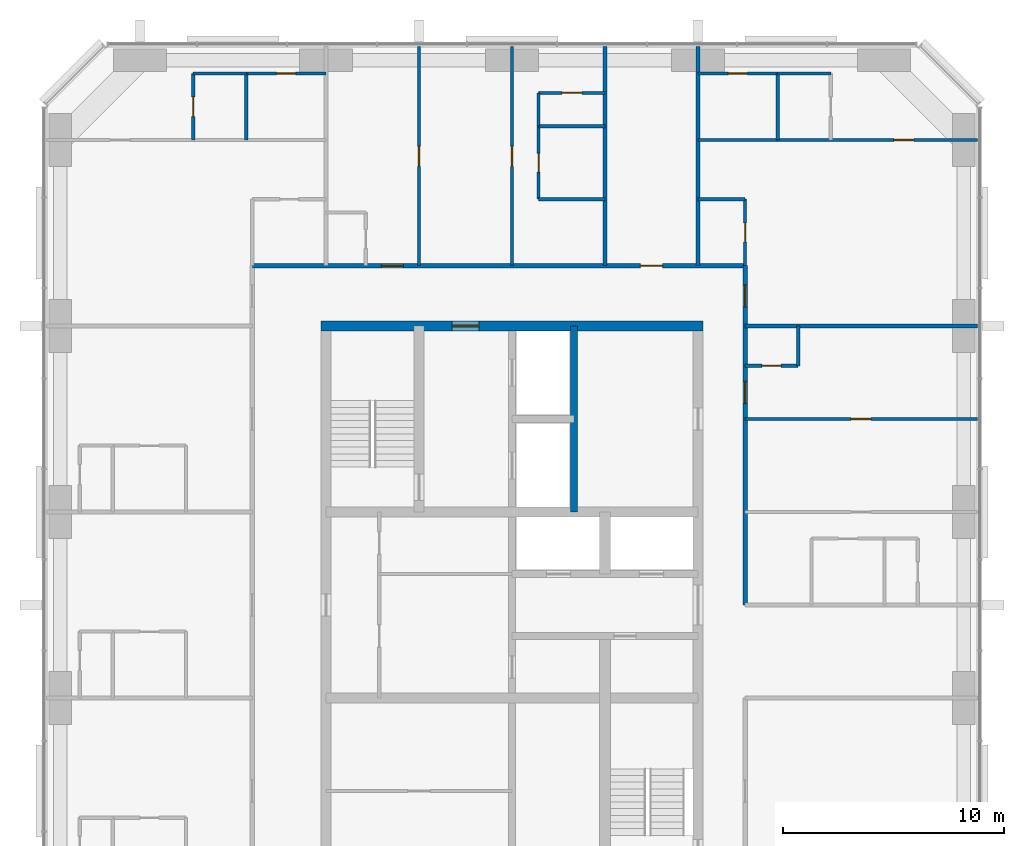
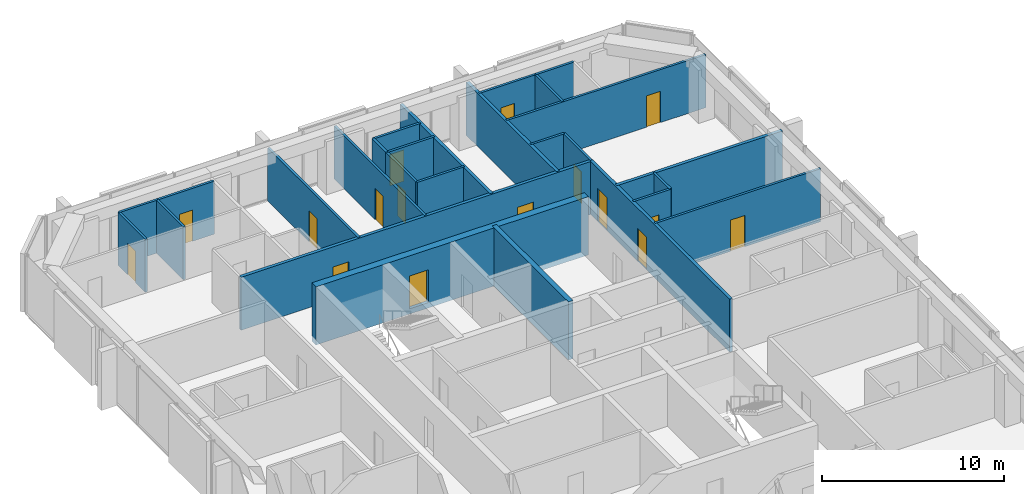
# One storey, part 10 of 12: 27 walls, 16 doors, 16 openings.
"""IFC4 building model written with IfcOpenShell, lengths in metres."""

import ifcopenshell
import ifcopenshell.guid

model = None  # the IFC model being written
_history = None  # IfcOwnerHistory: only IFC2X3 demands one
_inside = {}  # id of a spatial element -> (the spatial element, [elements in it])
_under = {}  # id of a project, library or spatial element -> (it, [spatial elements below it])
_declared = {}  # id of a project -> (the project, [libraries it declares])
_typed = {}  # id of a type object -> (the type object, [elements of that type])
_made_of = {}  # id of a material, layer set ... -> (it, [elements and type objects made of it])


def new_model(schema):
    """Start an empty IFC model of exactly this schema.

    Asked for "IFC4X3", IfcOpenShell would pick the latest addendum, in which some entities
    have other attributes; the version numbers below select the first issue.
    IFC2X3 requires an IfcOwnerHistory on every rooted entity: one is made here for all.
    """
    global model, _history
    if schema == "IFC4X3":
        model = ifcopenshell.file(schema_version=(4, 3, 0, 0))
    else:
        model = ifcopenshell.file(schema=schema)
    _inside.clear()
    _under.clear()
    _declared.clear()
    _typed.clear()
    _made_of.clear()
    _history = None
    if model.schema == "IFC2X3":
        org = make("IfcOrganization", Name="unknown")
        user = make(
            "IfcPersonAndOrganization",
            ThePerson=make("IfcPerson", FamilyName="unknown"),
            TheOrganization=org,
        )
        app = make(
            "IfcApplication",
            ApplicationDeveloper=org,
            Version="unknown",
            ApplicationFullName="unknown",
            ApplicationIdentifier="unknown",
        )
        _history = make(
            "IfcOwnerHistory",
            OwningUser=user,
            OwningApplication=app,
            ChangeAction="ADDED",
            CreationDate=0,
        )
    return model


def make(cls, **values):
    """One entity of the class cls with the attributes given. An attribute that is None is left unset."""
    return model.create_entity(
        cls, **{name: value for name, value in values.items() if value is not None}
    )


def rooted(cls, **values):
    """An entity with a GlobalId (a new one), such as an element, a storey or a relation."""
    return make(cls, GlobalId=ifcopenshell.guid.new(), OwnerHistory=_history, **values)


def si_unit(unit_type, name, prefix=None):
    """IfcSIUnit, for example si_unit("LENGTHUNIT", "METRE", prefix="MILLI")."""
    return make("IfcSIUnit", UnitType=unit_type, Prefix=prefix, Name=name)


def assignment(units):
    """IfcUnitAssignment: the units of a project."""
    return None if units is None else make("IfcUnitAssignment", Units=units)


def point(xyz):
    """IfcCartesianPoint."""
    return None if xyz is None else make("IfcCartesianPoint", Coordinates=xyz)


def direction(xyz):
    """IfcDirection."""
    return None if xyz is None else make("IfcDirection", DirectionRatios=xyz)


def frame(location, z_axis=None, x_axis=None):
    """IfcAxis2Placement3D, a coordinate frame: its origin and axes. An axis left out is left unset."""
    return make(
        "IfcAxis2Placement3D",
        Location=point(location),
        Axis=direction(z_axis),
        RefDirection=direction(x_axis),
    )


def frame_2d(location, x_axis=None):
    """IfcAxis2Placement2D, a coordinate frame in the plane: its origin and x axis."""
    return make(
        "IfcAxis2Placement2D", Location=point(location), RefDirection=direction(x_axis)
    )


def origin():
    """The frame at (0, 0, 0) with its axes left unset."""
    return frame((0.0, 0.0, 0.0))


def place(relative_to, where):
    """IfcLocalPlacement: puts the frame where relative to a parent placement (None: the world)."""
    return make(
        "IfcLocalPlacement", PlacementRelTo=relative_to, RelativePlacement=where
    )


def context(
    kind, dimensions, precision=None, world=None, true_north=None, identifier=None
):
    """IfcGeometricRepresentationContext, for example the 3D "Model" context."""
    return make(
        "IfcGeometricRepresentationContext",
        ContextIdentifier=identifier,
        ContextType=kind,
        CoordinateSpaceDimension=dimensions,
        Precision=precision,
        WorldCoordinateSystem=world,
        TrueNorth=true_north,
    )


def subcontext(parent, identifier, kind, view, scale=None):
    """IfcGeometricRepresentationSubContext, for example "Body" below "Model"."""
    return make(
        "IfcGeometricRepresentationSubContext",
        ContextIdentifier=identifier,
        ContextType=kind,
        ParentContext=parent,
        TargetScale=scale,
        TargetView=view,
    )


def project(units=None, contexts=None):
    """IfcProject with its units and contexts."""
    return rooted(
        "IfcProject",
        Name="project",
        RepresentationContexts=contexts,
        UnitsInContext=assignment(units),
    )


def spatial(cls, under=None, at=None, **own):
    """A site, building, storey or space (cls), placed at a placement, below another one or the project."""
    s = rooted(cls, ObjectPlacement=at, **own)
    if under is not None:
        _under.setdefault(under.id(), (under, []))[1].append(s)
    return s


def profile(cls, at=None, kind="AREA", **sizes):
    """A parametric profile (cls). Its sizes go by their IFC names, for example OverallWidth=200.0."""
    return make(cls, ProfileType=kind, Position=at, **sizes)


def rectangle(**sizes):
    """IfcRectangleProfileDef."""
    return profile("IfcRectangleProfileDef", **sizes)


def extrude(swept, where, along, depth):
    """IfcExtrudedAreaSolid: the profile swept, set in the frame where, extruded along a direction by depth."""
    return make(
        "IfcExtrudedAreaSolid",
        SweptArea=swept,
        Position=where,
        ExtrudedDirection=direction(along),
        Depth=depth,
    )


def shape(context_of_items, identifier, shape_type, items):
    """IfcShapeRepresentation: the items that make up one representation, for example the "Body"."""
    return make(
        "IfcShapeRepresentation",
        ContextOfItems=context_of_items,
        RepresentationIdentifier=identifier,
        RepresentationType=shape_type,
        Items=items,
    )


def material(Name=None, Category=None):
    """IfcMaterial."""
    return make("IfcMaterial", Name=Name, Category=Category)


def layer(
    of_material, thickness, ventilated=None, Name=None, Category=None, Priority=None
):
    """IfcMaterialLayer: one layer of a wall or slab, of a material (None: an air gap)."""
    return make(
        "IfcMaterialLayer",
        Material=of_material,
        LayerThickness=thickness,
        IsVentilated=ventilated,
        Name=Name,
        Category=Category,
        Priority=Priority,
    )


def layer_set(layers, Name=None):
    """IfcMaterialLayerSet."""
    return make("IfcMaterialLayerSet", MaterialLayers=layers, LayerSetName=Name)


def made_of(thing, what):
    """Note that an element or type object is made of a material, layer set ...; save() writes the relation."""
    if what is not None:
        _made_of.setdefault(what.id(), (what, []))[1].append(thing)
    return thing


def type_object(cls, material=None, **own):
    """A type object (cls), such as IfcWallType, which elements share."""
    return made_of(rooted(cls, **own), material)


def element(
    cls,
    number,
    at=None,
    inside=None,
    cuts=None,
    type_object=None,
    material=None,
    context=None,
    identifier="Body",
    shape_type=None,
    held_by="IfcProductDefinitionShape",
    body=None,
    shapes=None,
    **own,
):
    """One element of the class cls, such as IfcWall. Its Tag is "e" and its number.

    at: its placement. inside: the storey or other place that contains it. cuts: it is an
    opening in that element (IfcRelVoidsElement). A single representation is given by context,
    identifier, shape_type and body (its items); several are given by shapes. held_by: the class
    of the entity that holds the representations. save() writes the other relations.
    """
    e = rooted(cls, Tag="e%d" % number, ObjectPlacement=at, **own)
    if body is not None:
        shapes = [shape(context, identifier, shape_type, body)]
    if shapes is not None:
        e.Representation = make(held_by, Representations=shapes)
    if inside is not None:
        _inside.setdefault(inside.id(), (inside, []))[1].append(e)
    if cuts is not None:
        rooted(
            "IfcRelVoidsElement", RelatingBuildingElement=cuts, RelatedOpeningElement=e
        )
    if type_object is not None:
        _typed.setdefault(type_object.id(), (type_object, []))[1].append(e)
    return made_of(e, material)


def fill(opening, filler):
    """IfcRelFillsElement: the door or window that sits in an opening."""
    return rooted(
        "IfcRelFillsElement",
        RelatingOpeningElement=opening,
        RelatedBuildingElement=filler,
    )


def aggregate(whole, parts):
    """IfcRelAggregates: a whole, such as a stair, and the parts it consists of."""
    return rooted("IfcRelAggregates", RelatingObject=whole, RelatedObjects=parts)


def save(model, path):
    """Write the relations noted so far, then the file.

    IfcRelAggregates (storeys below a building ...), IfcRelContainedInSpatialStructure (elements
    in a storey), IfcRelDefinesByType, IfcRelAssociatesMaterial and IfcRelDeclares: one each for
    every whole, place, type object, material and project.
    """
    for whole, parts in _under.values():
        aggregate(whole, parts)
    for where, things in _inside.values():
        rooted(
            "IfcRelContainedInSpatialStructure",
            RelatedElements=things,
            RelatingStructure=where,
        )
    for kind, things in _typed.values():
        rooted("IfcRelDefinesByType", RelatedObjects=things, RelatingType=kind)
    for what, things in _made_of.values():
        rooted("IfcRelAssociatesMaterial", RelatedObjects=things, RelatingMaterial=what)
    for by, libraries in _declared.values():
        rooted("IfcRelDeclares", RelatingContext=by, RelatedDefinitions=libraries)
    model.write(path)


model = new_model("IFC4")

# Units and contexts
model_context = context("Model", 3, precision=1e-05, world=origin(), true_north=direction((0.0, 1.0)))
body_context = subcontext(model_context, "Body", "Model", "MODEL_VIEW")
ifc_project = project(units=[si_unit("LENGTHUNIT", "METRE"), si_unit("AREAUNIT", "SQUARE_METRE"), si_unit("VOLUMEUNIT", "CUBIC_METRE"), si_unit("PLANEANGLEUNIT", "RADIAN"), si_unit("MASSUNIT", "GRAM", prefix="KILO")], contexts=[model_context])

# Site, building, storey
site_placement = place(None, origin())
site = spatial("IfcSite", under=ifc_project, at=site_placement, CompositionType="ELEMENT")
building_placement = place(site_placement, origin())
building = spatial("IfcBuilding", under=site, at=building_placement, Name="Dunama Terrace Hotel", CompositionType="ELEMENT")
storey_placement = place(building_placement, frame((0.0, 0.0, 241.199951171875)))
storey = spatial("IfcBuildingStorey", under=building, at=storey_placement, Name="L62", CompositionType="ELEMENT", Elevation=241.199951171875)

# Wall, opening, door
ifc_material_1 = material(Name="Gypsum board partition", Category="masonry")
ifc_layer_1 = layer(ifc_material_1, 0.14990234375)
ifc_layer_set_1 = layer_set([ifc_layer_1], Name="Bathroom partition 150")
wall_type_1 = type_object("IfcWallType", Name="Bathroom partition 150", PredefinedType="PARTITIONING", material=ifc_layer_set_1)
wall_1_placement = place(storey_placement, frame((34.800048828125, 47.72509765625, 0.0), z_axis=(0.0, 0.0, 1.0), x_axis=(0.0, 1.0, 0.0)))
wall_1 = element("IfcWall", 1, at=wall_1_placement, inside=storey, type_object=wall_type_1, Name="Bathroom partition 150 L62", PredefinedType="PARTITIONING", context=body_context, shape_type="SweptSolid", body=[
    extrude(rectangle(XDim=3.2998046875, YDim=0.14990234375, at=frame_2d((1.64990234375, 0.0))), origin(), (0.0, 0.0, 1.0), 3.550048828125),
])
opening_1_placement = place(wall_1_placement, frame((1.22509765625, 0.0, 0.0)))
opening_1 = element("IfcOpeningElement", 2, at=opening_1_placement, cuts=wall_1, Name="Opening L62-64-029", PredefinedType="OPENING", context=body_context, shape_type="SweptSolid", body=[
    extrude(rectangle(XDim=0.85009765625, YDim=2.10009765625, at=frame_2d((0.425048828125, 1.050048828125))), frame((0.0, 0.0849609375, 0.0), z_axis=(0.0, -1.0, 0.0), x_axis=(1.0, 0.0, 0.0)), (0.0, 0.0, 1.0), 0.169921875),
])
ifc_material_2 = material(Name="Timber door with steel frame", Category="steel")
door_type_1 = type_object("IfcDoorType", Name="Bathroom door 850", OperationType="SINGLE_SWING_LEFT", PredefinedType="DOOR", material=ifc_material_2)
door_1_placement = place(opening_1_placement, frame((0.85009765625, 0.0, 0.0), z_axis=(0.0, 0.0, 1.0), x_axis=(-1.0, 0.0, 0.0)))
door_1 = element("IfcDoor", 3, at=door_1_placement, inside=storey, type_object=door_type_1, Name="Door to en-suite bathroom L62-64-029, type D2", OperationType="SINGLE_SWING_RIGHT", OverallHeight=2.10009765625, OverallWidth=0.85009765625, PredefinedType="DOOR", context=body_context, shape_type="SweptSolid", body=[
    extrude(rectangle(XDim=0.85009765625, YDim=2.10009765625, at=frame_2d((0.425048828125, 1.050048828125))), frame((0.0, 0.025146484375, 0.0), z_axis=(0.0, -1.0, 0.0), x_axis=(1.0, 0.0, 0.0)), (0.0, 0.0, 1.0), 0.050048828125),
])
fill(opening_1, door_1)

wall_2_placement = place(storey_placement, frame((44.125, 44.72509765625, 0.0), z_axis=(0.0, 0.0, 1.0), x_axis=(0.0, 1.0, 0.0)))
wall_2 = element("IfcWall", 4, at=wall_2_placement, inside=storey, type_object=wall_type_1, Name="Bathroom partition 150 L62", PredefinedType="PARTITIONING", context=body_context, shape_type="SweptSolid", body=[
    extrude(rectangle(XDim=3.0, YDim=0.14990234375, at=frame_2d((1.5, 0.0))), origin(), (0.0, 0.0, 1.0), 3.550048828125),
])
opening_2_placement = place(wall_2_placement, frame((1.074951171875, 0.0, 0.0)))
opening_2 = element("IfcOpeningElement", 5, at=opening_2_placement, cuts=wall_2, Name="Opening L62-64-052", PredefinedType="OPENING", context=body_context, shape_type="SweptSolid", body=[
    extrude(rectangle(XDim=0.85009765625, YDim=2.10009765625, at=frame_2d((0.425048828125, 1.050048828125))), frame((0.0, 0.0849609375, 0.0), z_axis=(0.0, -1.0, 0.0), x_axis=(1.0, 0.0, 0.0)), (0.0, 0.0, 1.0), 0.169921875),
])
door_2_placement = place(opening_2_placement, origin())
door_2 = element("IfcDoor", 6, at=door_2_placement, inside=storey, type_object=door_type_1, Name="Door to powder room L62-64-052, type D2", OperationType="SINGLE_SWING_LEFT", OverallHeight=2.10009765625, OverallWidth=0.85009765625, PredefinedType="DOOR", context=body_context, shape_type="SweptSolid", body=[
    extrude(rectangle(XDim=0.85009765625, YDim=2.10009765625, at=frame_2d((0.425048828125, 1.050048828125))), frame((0.0, 0.02490234375, 0.0), z_axis=(0.0, -1.0, 0.0), x_axis=(1.0, 0.0, 0.0)), (0.0, 0.0, 1.0), 0.050048828125),
])
fill(opening_2, door_2)

# Wall
wall_3_placement = place(storey_placement, frame((46.52490234375, 40.199951171875, 0.0), z_axis=(0.0, 0.0, 1.0), x_axis=(0.0, 1.0, 0.0)))
element("IfcWall", 7, at=wall_3_placement, inside=storey, type_object=wall_type_1, Name="Bathroom partition 150 L62", PredefinedType="PARTITIONING", context=body_context, shape_type="SweptSolid", body=[
    extrude(rectangle(XDim=1.800048828125, YDim=0.14990234375, at=frame_2d((0.89990234375, 0.0))), origin(), (0.0, 0.0, 1.0), 3.550048828125),
])

# Wall, opening, door
wall_4_placement = place(storey_placement, frame((44.125, 40.199951171875, 0.0), z_axis=(0.0, 0.0, 1.0), x_axis=(1.0, 0.0, 0.0)))
wall_4 = element("IfcWall", 8, at=wall_4_placement, inside=storey, type_object=wall_type_1, Name="Bathroom partition 150 L62", PredefinedType="PARTITIONING", context=body_context, shape_type="SweptSolid", body=[
    extrude(rectangle(XDim=2.39990234375, YDim=0.14990234375, at=frame_2d((1.199951171875, 0.0))), origin(), (0.0, 0.0, 1.0), 3.550048828125),
])
opening_3_placement = place(wall_4_placement, frame((0.77490234375, 0.0, 0.0)))
opening_3 = element("IfcOpeningElement", 9, at=opening_3_placement, cuts=wall_4, Name="Opening L62-64-020", PredefinedType="OPENING", context=body_context, shape_type="SweptSolid", body=[
    extrude(rectangle(XDim=0.85009765625, YDim=2.10009765625, at=frame_2d((0.425048828125, 1.050048828125))), frame((0.0, 0.0849609375, 0.0), z_axis=(0.0, -1.0, 0.0), x_axis=(1.0, 0.0, 0.0)), (0.0, 0.0, 1.0), 0.169921875),
])
door_3_placement = place(opening_3_placement, origin())
door_3 = element("IfcDoor", 10, at=door_3_placement, inside=storey, type_object=door_type_1, Name="Door to powder room L62-64-020, type D2", OperationType="SINGLE_SWING_LEFT", OverallHeight=2.10009765625, OverallWidth=0.85009765625, PredefinedType="DOOR", context=body_context, shape_type="SweptSolid", body=[
    extrude(rectangle(XDim=0.85009765625, YDim=2.10009765625, at=frame_2d((0.425048828125, 1.050048828125))), frame((0.0, 0.02490234375, 0.0), z_axis=(0.0, -1.0, 0.0), x_axis=(1.0, 0.0, 0.0)), (0.0, 0.0, 1.0), 0.050048828125),
])
fill(opening_3, door_3)

# Walls
wall_5_placement = place(storey_placement, frame((34.800048828125, 47.72509765625, 0.0), z_axis=(0.0, 0.0, 1.0), x_axis=(1.0, 0.0, 0.0)))
element("IfcWall", 11, at=wall_5_placement, inside=storey, type_object=wall_type_1, Name="Bathroom partition 150 L62", PredefinedType="PARTITIONING", context=body_context, shape_type="SweptSolid", body=[
    extrude(rectangle(XDim=3.0, YDim=0.14990234375, at=frame_2d((1.5, 0.0))), origin(), (0.0, 0.0, 1.0), 3.550048828125),
])
wall_6_placement = place(storey_placement, frame((42.0, 47.72509765625, 0.0), z_axis=(0.0, 0.0, 1.0), x_axis=(1.0, 0.0, 0.0)))
element("IfcWall", 12, at=wall_6_placement, inside=storey, type_object=wall_type_1, Name="Bathroom partition 150 L62", PredefinedType="PARTITIONING", context=body_context, shape_type="SweptSolid", body=[
    extrude(rectangle(XDim=2.125, YDim=0.14990234375, at=frame_2d((1.0625, 0.0))), origin(), (0.0, 0.0, 1.0), 3.550048828125),
])

# Wall, opening, door
wall_7_placement = place(storey_placement, frame((21.60009765625, 53.39990234375, 0.0), z_axis=(0.0, 0.0, 1.0), x_axis=(1.0, 0.0, 0.0)))
wall_7 = element("IfcWall", 13, at=wall_7_placement, inside=storey, type_object=wall_type_1, Name="Bathroom partition 150 L62", PredefinedType="PARTITIONING", context=body_context, shape_type="SweptSolid", body=[
    extrude(rectangle(XDim=3.599853515625, YDim=0.14990234375, at=frame_2d((1.7998046875, 0.0))), origin(), (0.0, 0.0, 1.0), 3.550048828125),
])
opening_4_placement = place(wall_7_placement, frame((1.375, 0.0, 0.0)))
opening_4 = element("IfcOpeningElement", 14, at=opening_4_placement, cuts=wall_7, Name="Opening L62-64-059", PredefinedType="OPENING", context=body_context, shape_type="SweptSolid", body=[
    extrude(rectangle(XDim=0.85009765625, YDim=2.10009765625, at=frame_2d((0.425048828125, 1.050048828125))), frame((0.0, 0.0849609375, 0.0), z_axis=(0.0, -1.0, 0.0), x_axis=(1.0, 0.0, 0.0)), (0.0, 0.0, 1.0), 0.169921875),
])
door_4_placement = place(opening_4_placement, frame((0.85009765625, 0.0, 0.0), z_axis=(0.0, 0.0, 1.0), x_axis=(-1.0, 0.0, 0.0)))
door_4 = element("IfcDoor", 15, at=door_4_placement, inside=storey, type_object=door_type_1, Name="Door to en-suite bathroom L62-64-059, type D2", OperationType="SINGLE_SWING_LEFT", OverallHeight=2.10009765625, OverallWidth=0.85009765625, PredefinedType="DOOR", context=body_context, shape_type="SweptSolid", body=[
    extrude(rectangle(XDim=0.85009765625, YDim=2.10009765625, at=frame_2d((0.425048828125, 1.050048828125))), frame((0.0, 0.025146484375, 0.0), z_axis=(0.0, -1.0, 0.0), x_axis=(1.0, 0.0, 0.0)), (0.0, 0.0, 1.0), 0.050048828125),
])
fill(opening_4, door_4)

wall_8_placement = place(storey_placement, frame((42.0, 53.39990234375, 0.0), z_axis=(0.0, 0.0, 1.0), x_axis=(1.0, 0.0, 0.0)))
wall_8 = element("IfcWall", 16, at=wall_8_placement, inside=storey, type_object=wall_type_1, Name="Bathroom partition 150 L62", PredefinedType="PARTITIONING", context=body_context, shape_type="SweptSolid", body=[
    extrude(rectangle(XDim=3.60009765625, YDim=0.14990234375, at=frame_2d((1.800048828125, 0.0))), origin(), (0.0, 0.0, 1.0), 3.550048828125),
])
opening_5_placement = place(wall_8_placement, frame((1.375, 0.0, 0.0)))
opening_5 = element("IfcOpeningElement", 17, at=opening_5_placement, cuts=wall_8, Name="Opening L62-64-054", PredefinedType="OPENING", context=body_context, shape_type="SweptSolid", body=[
    extrude(rectangle(XDim=0.85009765625, YDim=2.10009765625, at=frame_2d((0.425048828125, 1.050048828125))), frame((0.0, 0.0849609375, 0.0), z_axis=(0.0, -1.0, 0.0), x_axis=(1.0, 0.0, 0.0)), (0.0, 0.0, 1.0), 0.169921875),
])
door_5_placement = place(opening_5_placement, frame((0.85009765625, 0.0, 0.0), z_axis=(0.0, 0.0, 1.0), x_axis=(-1.0, 0.0, 0.0)))
door_5 = element("IfcDoor", 18, at=door_5_placement, inside=storey, type_object=door_type_1, Name="Door to en-suite bathroom L62-64-054, type D2", OperationType="SINGLE_SWING_RIGHT", OverallHeight=2.10009765625, OverallWidth=0.85009765625, PredefinedType="DOOR", context=body_context, shape_type="SweptSolid", body=[
    extrude(rectangle(XDim=0.85009765625, YDim=2.10009765625, at=frame_2d((0.425048828125, 1.050048828125))), frame((0.0, 0.025146484375, 0.0), z_axis=(0.0, -1.0, 0.0), x_axis=(1.0, 0.0, 0.0)), (0.0, 0.0, 1.0), 0.050048828125),
])
fill(opening_5, door_5)

# Wall
ifc_material_3 = material(Name="Concrete C50/60", Category="concrete")
ifc_layer_2 = layer(ifc_material_3, 0.300048828125)
ifc_layer_set_2 = layer_set([ifc_layer_2], Name="Core inner wall 300")
wall_type_2 = type_object("IfcWallType", Name="Core inner wall 300", PredefinedType="SHEAR", material=ifc_layer_set_2)
wall_9_placement = place(storey_placement, frame((36.39990234375, 33.60009765625, -0.349853515625), z_axis=(0.0, 0.0, 1.0), x_axis=(0.0, 1.0, 0.0)))
element("IfcWall", 19, at=wall_9_placement, inside=storey, type_object=wall_type_2, Name="Core inner wall 300 L62", PredefinedType="SHEAR", context=body_context, shape_type="SweptSolid", body=[
    extrude(rectangle(XDim=8.39990234375, YDim=0.300048828125, at=frame_2d((4.199951171875, 0.0))), origin(), (0.0, 0.0, 1.0), 3.89990234375),
])

# Wall, opening, door
ifc_material_4 = material(Name="Concrete C50/60", Category="concrete")
ifc_layer_3 = layer(ifc_material_4, 0.449951171875)
ifc_layer_set_3 = layer_set([ifc_layer_3], Name="Core wall 450")
wall_type_3 = type_object("IfcWallType", Name="Core wall 450", PredefinedType="SHEAR", material=ifc_layer_set_3)
wall_10_placement = place(storey_placement, frame((42.22509765625, 42.0, -0.349853515625), z_axis=(0.0, 0.0, 1.0), x_axis=(-1.0, 0.0, 0.0)))
wall_10 = element("IfcWall", 20, at=wall_10_placement, inside=storey, type_object=wall_type_3, Name="Core wall north L62", PredefinedType="SHEAR", context=body_context, shape_type="SweptSolid", body=[
    extrude(rectangle(XDim=17.25, YDim=0.449951171875, at=frame_2d((8.625, 0.0))), origin(), (0.0, 0.0, 1.0), 3.89990234375),
])
opening_6_placement = place(wall_10_placement, frame((10.125, 0.0, 0.35009765625)))
opening_6 = element("IfcOpeningElement", 21, at=opening_6_placement, cuts=wall_10, Name="Opening L62-64-067", PredefinedType="OPENING", context=body_context, shape_type="SweptSolid", body=[
    extrude(rectangle(XDim=1.199951171875, YDim=2.199951171875, at=frame_2d((0.60009765625, 1.10009765625))), frame((0.0, 0.23486328125, 0.0), z_axis=(0.0, -1.0, 0.0), x_axis=(1.0, 0.0, 0.0)), (0.0, 0.0, 1.0), 0.469970703125),
])
ifc_material_5 = material(Name="Timber door with steel frame", Category="steel")
door_type_2 = type_object("IfcDoorType", Name="Firefighting lobby door 1200", OperationType="SINGLE_SWING_LEFT", PredefinedType="DOOR", material=ifc_material_5)
door_6_placement = place(opening_6_placement, origin())
door_6 = element("IfcDoor", 22, at=door_6_placement, inside=storey, type_object=door_type_2, Name="Door to firefighting lobby L62-64-067, type D4", OperationType="SINGLE_SWING_RIGHT", OverallHeight=2.199951171875, OverallWidth=1.199951171875, PredefinedType="DOOR", context=body_context, shape_type="SweptSolid", body=[
    extrude(rectangle(XDim=1.199951171875, YDim=2.199951171875, at=frame_2d((0.60009765625, 1.10009765625))), frame((0.0, 0.02490234375, 0.0), z_axis=(0.0, -1.0, 0.0), x_axis=(1.0, 0.0, 0.0)), (0.0, 0.0, 1.0), 0.050048828125),
])
fill(opening_6, door_6)

# Wall, openings, doors
ifc_material_6 = material(Name="Concrete blockwork", Category="masonry")
ifc_layer_4 = layer(ifc_material_6, 0.199951171875)
ifc_layer_set_4 = layer_set([ifc_layer_4], Name="Corridor partition 200")
wall_type_4 = type_object("IfcWallType", Name="Corridor partition 200", PredefinedType="PARTITIONING", material=ifc_layer_set_4)
wall_11_placement = place(storey_placement, frame((21.875, 44.72509765625, 0.0), z_axis=(0.0, 0.0, 1.0), x_axis=(1.0, 0.0, 0.0)))
wall_11 = element("IfcWall", 23, at=wall_11_placement, inside=storey, type_object=wall_type_4, Name="Corridor partition 200 L62", PredefinedType="PARTITIONING", context=body_context, shape_type="SweptSolid", body=[
    extrude(rectangle(XDim=22.25, YDim=0.199951171875, at=frame_2d((11.125, 0.0))), origin(), (0.0, 0.0, 1.0), 3.550048828125),
])
opening_7_placement = place(wall_11_placement, frame((5.824951171875, 0.0, 0.0)))
opening_7 = element("IfcOpeningElement", 24, at=opening_7_placement, cuts=wall_11, Name="Opening L62-64-025", PredefinedType="OPENING", context=body_context, shape_type="SweptSolid", body=[
    extrude(rectangle(XDim=1.0, YDim=2.199951171875, at=frame_2d((0.5, 1.10009765625))), frame((0.0, 0.10986328125, 0.0), z_axis=(0.0, -1.0, 0.0), x_axis=(1.0, 0.0, 0.0)), (0.0, 0.0, 1.0), 0.219970703125),
])
opening_8_placement = place(wall_11_placement, frame((17.52490234375, 0.0, 0.0)))
opening_8 = element("IfcOpeningElement", 25, at=opening_8_placement, cuts=wall_11, Name="Opening L62-64-031", PredefinedType="OPENING", context=body_context, shape_type="SweptSolid", body=[
    extrude(rectangle(XDim=1.0, YDim=2.10009765625, at=frame_2d((0.5, 1.050048828125))), frame((0.0, 0.10986328125, 0.0), z_axis=(0.0, -1.0, 0.0), x_axis=(1.0, 0.0, 0.0)), (0.0, 0.0, 1.0), 0.219970703125),
])
ifc_material_7 = material(Name="Timber door with steel frame", Category="steel")
door_type_3 = type_object("IfcDoorType", Name="Guest room door 1000", OperationType="SINGLE_SWING_LEFT", PredefinedType="DOOR", material=ifc_material_7)
door_7_placement = place(opening_7_placement, origin())
door_7 = element("IfcDoor", 26, at=door_7_placement, inside=storey, type_object=door_type_3, Name="Door to ambassador suite living room L62-64-025, type D1", OperationType="SINGLE_SWING_LEFT", OverallHeight=2.199951171875, OverallWidth=1.0, PredefinedType="DOOR", context=body_context, shape_type="SweptSolid", body=[
    extrude(rectangle(XDim=1.0, YDim=2.199951171875, at=frame_2d((0.5, 1.10009765625))), frame((0.0, 0.02490234375, 0.0), z_axis=(0.0, -1.0, 0.0), x_axis=(1.0, 0.0, 0.0)), (0.0, 0.0, 1.0), 0.050048828125),
])
fill(opening_7, door_7)
ifc_material_8 = material(Name="Timber door with steel frame", Category="steel")
door_type_4 = type_object("IfcDoorType", Name="Service door 1000", OperationType="SINGLE_SWING_LEFT", PredefinedType="DOOR", material=ifc_material_8)
door_8_placement = place(opening_8_placement, origin())
door_8 = element("IfcDoor", 27, at=door_8_placement, inside=storey, type_object=door_type_4, Name="Door to butler pantry L62-64-031, type D7", OperationType="SINGLE_SWING_LEFT", OverallHeight=2.10009765625, OverallWidth=1.0, PredefinedType="DOOR", context=body_context, shape_type="SweptSolid", body=[
    extrude(rectangle(XDim=1.0, YDim=2.10009765625, at=frame_2d((0.5, 1.050048828125))), frame((0.0, 0.02490234375, 0.0), z_axis=(0.0, -1.0, 0.0), x_axis=(1.0, 0.0, 0.0)), (0.0, 0.0, 1.0), 0.050048828125),
])
fill(opening_8, door_8)

wall_12_placement = place(storey_placement, frame((44.125, 44.72509765625, 0.0), z_axis=(0.0, 0.0, 1.0), x_axis=(0.0, -1.0, 0.0)))
wall_12 = element("IfcWall", 28, at=wall_12_placement, inside=storey, type_object=wall_type_4, Name="Corridor partition 200 L62", PredefinedType="PARTITIONING", context=body_context, shape_type="SweptSolid", body=[
    extrude(rectangle(XDim=15.3251953125, YDim=0.199951171875, at=frame_2d((7.66259765625, 0.0))), origin(), (0.0, 0.0, 1.0), 3.550048828125),
])
opening_9_placement = place(wall_12_placement, frame((5.22509765625, 0.0, 0.0)))
opening_9 = element("IfcOpeningElement", 29, at=opening_9_placement, cuts=wall_12, Name="Opening L62-64-019", PredefinedType="OPENING", context=body_context, shape_type="SweptSolid", body=[
    extrude(rectangle(XDim=1.0, YDim=2.199951171875, at=frame_2d((0.5, 1.10009765625))), frame((0.0, 0.10986328125, 0.0), z_axis=(0.0, -1.0, 0.0), x_axis=(1.0, 0.0, 0.0)), (0.0, 0.0, 1.0), 0.219970703125),
])
opening_10_placement = place(wall_12_placement, frame((0.863037109375, 0.0, 0.0)))
opening_10 = element("IfcOpeningElement", 30, at=opening_10_placement, cuts=wall_12, Name="Opening L62-64-051", PredefinedType="OPENING", context=body_context, shape_type="SweptSolid", body=[
    extrude(rectangle(XDim=1.0, YDim=2.199951171875, at=frame_2d((0.5, 1.10009765625))), frame((0.0, 0.10986328125, 0.0), z_axis=(0.0, -1.0, 0.0), x_axis=(1.0, 0.0, 0.0)), (0.0, 0.0, 1.0), 0.219970703125),
])
door_9_placement = place(opening_9_placement, origin())
door_9 = element("IfcDoor", 31, at=door_9_placement, inside=storey, type_object=door_type_3, Name="Door to ambassador suite living room L62-64-019, type D1", OperationType="SINGLE_SWING_LEFT", OverallHeight=2.199951171875, OverallWidth=1.0, PredefinedType="DOOR", context=body_context, shape_type="SweptSolid", body=[
    extrude(rectangle(XDim=1.0, YDim=2.199951171875, at=frame_2d((0.5, 1.10009765625))), frame((0.0, 0.02490234375, 0.0), z_axis=(0.0, -1.0, 0.0), x_axis=(1.0, 0.0, 0.0)), (0.0, 0.0, 1.0), 0.050048828125),
])
fill(opening_9, door_9)
door_10_placement = place(opening_10_placement, origin())
door_10 = element("IfcDoor", 32, at=door_10_placement, inside=storey, type_object=door_type_3, Name="Door to grand corner suite living room L62-64-051, type D1", OperationType="SINGLE_SWING_RIGHT", OverallHeight=2.199951171875, OverallWidth=1.0, PredefinedType="DOOR", context=body_context, shape_type="SweptSolid", body=[
    extrude(rectangle(XDim=1.0, YDim=2.199951171875, at=frame_2d((0.5, 1.10009765625))), frame((0.0, 0.02490234375, 0.0), z_axis=(0.0, -1.0, 0.0), x_axis=(1.0, 0.0, 0.0)), (0.0, 0.0, 1.0), 0.050048828125),
])
fill(opening_10, door_10)

# Walls
ifc_material_9 = material(Name="Concrete blockwork", Category="masonry")
ifc_layer_5 = layer(ifc_material_9, 0.199951171875)
ifc_layer_set_5 = layer_set([ifc_layer_5], Name="Party wall 200")
wall_type_5 = type_object("IfcWallType", Name="Party wall 200", PredefinedType="PARTITIONING", material=ifc_layer_set_5)
for number, where, z_axis, x_axis, name in (
    (33, (37.800048828125, 44.72509765625, 0.0), (0.0, 0.0, 1.0), (0.0, 1.0, 0.0), "Party wall 200 L62"),
    (34, (42.0, 44.72509765625, 0.0), (0.0, 0.0, 1.0), (0.0, 1.0, 0.0), "Party wall 200 L62"),
):
    element("IfcWall", number, at=place(storey_placement, frame(where, z_axis=z_axis, x_axis=x_axis)), inside=storey, type_object=wall_type_5, Name=name, PredefinedType="PARTITIONING", context=body_context, shape_type="SweptSolid", body=[
        extrude(rectangle(XDim=9.892822265625, YDim=0.199951171875, at=frame_2d((4.9462890625, 0.0))), origin(), (0.0, 0.0, 1.0), 3.550048828125),
    ])
wall_13_placement = place(storey_placement, frame((44.125, 42.0, 0.0), z_axis=(0.0, 0.0, 1.0), x_axis=(1.0, 0.0, 0.0)))
element("IfcWall", 35, at=wall_13_placement, inside=storey, type_object=wall_type_5, Name="Party wall 200 L62", PredefinedType="PARTITIONING", context=body_context, shape_type="SweptSolid", body=[
    extrude(rectangle(XDim=10.492919921875, YDim=0.199951171875, at=frame_2d((5.24658203125, 0.0))), origin(), (0.0, 0.0, 1.0), 3.550048828125),
])

# Wall, opening, door
ifc_material_10 = material(Name="Gypsum board partition", Category="masonry")
ifc_layer_6 = layer(ifc_material_10, 0.14990234375)
ifc_layer_set_6 = layer_set([ifc_layer_6], Name="Room partition 150")
wall_type_6 = type_object("IfcWallType", Name="Room partition 150", PredefinedType="PARTITIONING", material=ifc_layer_set_6)
wall_14_placement = place(storey_placement, frame((19.199951171875, 50.39990234375, 0.0), z_axis=(0.0, 0.0, 1.0), x_axis=(0.0, 1.0, 0.0)))
wall_14 = element("IfcWall", 36, at=wall_14_placement, inside=storey, type_object=wall_type_6, Name="Room partition 150 L62", PredefinedType="PARTITIONING", context=body_context, shape_type="SweptSolid", body=[
    extrude(rectangle(XDim=3.0, YDim=0.14990234375, at=frame_2d((1.5, 0.0))), origin(), (0.0, 0.0, 1.0), 3.550048828125),
])
opening_11_placement = place(wall_14_placement, frame((1.050048828125, 0.0, 0.0)))
opening_11 = element("IfcOpeningElement", 37, at=opening_11_placement, cuts=wall_14, Name="Opening L62-64-060", PredefinedType="OPENING", context=body_context, shape_type="SweptSolid", body=[
    extrude(rectangle(XDim=0.89990234375, YDim=2.10009765625, at=frame_2d((0.449951171875, 1.050048828125))), frame((0.0, 0.0849609375, 0.0), z_axis=(0.0, -1.0, 0.0), x_axis=(1.0, 0.0, 0.0)), (0.0, 0.0, 1.0), 0.169921875),
])
ifc_material_11 = material(Name="Timber door with steel frame", Category="steel")
door_type_5 = type_object("IfcDoorType", Name="Suite internal door 900", OperationType="SINGLE_SWING_LEFT", PredefinedType="DOOR", material=ifc_material_11)
door_11_placement = place(opening_11_placement, frame((0.89990234375, 0.0, 0.0), z_axis=(0.0, 0.0, 1.0), x_axis=(-1.0, 0.0, 0.0)))
door_11 = element("IfcDoor", 38, at=door_11_placement, inside=storey, type_object=door_type_5, Name="Door to dressing room L62-64-060, type D16", OperationType="SINGLE_SWING_RIGHT", OverallHeight=2.10009765625, OverallWidth=0.89990234375, PredefinedType="DOOR", context=body_context, shape_type="SweptSolid", body=[
    extrude(rectangle(XDim=0.89990234375, YDim=2.10009765625, at=frame_2d((0.449951171875, 1.050048828125))), frame((0.0, 0.025146484375, 0.0), z_axis=(0.0, -1.0, 0.0), x_axis=(1.0, 0.0, 0.0)), (0.0, 0.0, 1.0), 0.050048828125),
])
fill(opening_11, door_11)

# Wall
wall_15_placement = place(storey_placement, frame((21.60009765625, 50.39990234375, 0.0), z_axis=(0.0, 0.0, 1.0), x_axis=(0.0, 1.0, 0.0)))
element("IfcWall", 39, at=wall_15_placement, inside=storey, type_object=wall_type_6, Name="Room partition 150 L62", PredefinedType="PARTITIONING", context=body_context, shape_type="SweptSolid", body=[
    extrude(rectangle(XDim=3.0, YDim=0.14990234375, at=frame_2d((1.5, 0.0))), origin(), (0.0, 0.0, 1.0), 3.550048828125),
])

# Wall, opening, door
wall_16_placement = place(storey_placement, frame((29.39990234375, 44.72509765625, 0.0), z_axis=(0.0, 0.0, 1.0), x_axis=(0.0, 1.0, 0.0)))
wall_16 = element("IfcWall", 40, at=wall_16_placement, inside=storey, type_object=wall_type_6, Name="Room partition 150 L62", PredefinedType="PARTITIONING", context=body_context, shape_type="SweptSolid", body=[
    extrude(rectangle(XDim=9.892822265625, YDim=0.14990234375, at=frame_2d((4.9462890625, 0.0))), origin(), (0.0, 0.0, 1.0), 3.550048828125),
])
opening_12_placement = place(wall_16_placement, frame((4.487060546875, 0.0, 0.0)))
opening_12 = element("IfcOpeningElement", 41, at=opening_12_placement, cuts=wall_16, Name="Opening L62-64-027", PredefinedType="OPENING", context=body_context, shape_type="SweptSolid", body=[
    extrude(rectangle(XDim=0.89990234375, YDim=2.10009765625, at=frame_2d((0.449951171875, 1.050048828125))), frame((0.0, 0.0849609375, 0.0), z_axis=(0.0, -1.0, 0.0), x_axis=(1.0, 0.0, 0.0)), (0.0, 0.0, 1.0), 0.169921875),
])
door_12_placement = place(opening_12_placement, origin())
door_12 = element("IfcDoor", 42, at=door_12_placement, inside=storey, type_object=door_type_5, Name="Door to ambassador suite study L62-64-027, type D16", OperationType="SINGLE_SWING_LEFT", OverallHeight=2.10009765625, OverallWidth=0.89990234375, PredefinedType="DOOR", context=body_context, shape_type="SweptSolid", body=[
    extrude(rectangle(XDim=0.89990234375, YDim=2.10009765625, at=frame_2d((0.449951171875, 1.050048828125))), frame((0.0, 0.02490234375, 0.0), z_axis=(0.0, -1.0, 0.0), x_axis=(1.0, 0.0, 0.0)), (0.0, 0.0, 1.0), 0.050048828125),
])
fill(opening_12, door_12)

wall_17_placement = place(storey_placement, frame((33.60009765625, 44.72509765625, 0.0), z_axis=(0.0, 0.0, 1.0), x_axis=(0.0, 1.0, 0.0)))
wall_17 = element("IfcWall", 43, at=wall_17_placement, inside=storey, type_object=wall_type_6, Name="Room partition 150 L62", PredefinedType="PARTITIONING", context=body_context, shape_type="SweptSolid", body=[
    extrude(rectangle(XDim=9.892822265625, YDim=0.14990234375, at=frame_2d((4.9462890625, 0.0))), origin(), (0.0, 0.0, 1.0), 3.550048828125),
])
opening_13_placement = place(wall_17_placement, frame((4.487060546875, 0.0, 0.0)))
opening_13 = element("IfcOpeningElement", 44, at=opening_13_placement, cuts=wall_17, Name="Opening L62-64-028", PredefinedType="OPENING", context=body_context, shape_type="SweptSolid", body=[
    extrude(rectangle(XDim=0.89990234375, YDim=2.10009765625, at=frame_2d((0.449951171875, 1.050048828125))), frame((0.0, 0.0849609375, 0.0), z_axis=(0.0, -1.0, 0.0), x_axis=(1.0, 0.0, 0.0)), (0.0, 0.0, 1.0), 0.169921875),
])
door_13_placement = place(opening_13_placement, frame((0.89990234375, 0.0, 0.0), z_axis=(0.0, 0.0, 1.0), x_axis=(-1.0, 0.0, 0.0)))
door_13 = element("IfcDoor", 45, at=door_13_placement, inside=storey, type_object=door_type_5, Name="Door to ambassador suite bedroom L62-64-028, type D16", OperationType="SINGLE_SWING_RIGHT", OverallHeight=2.10009765625, OverallWidth=0.89990234375, PredefinedType="DOOR", context=body_context, shape_type="SweptSolid", body=[
    extrude(rectangle(XDim=0.89990234375, YDim=2.10009765625, at=frame_2d((0.449951171875, 1.050048828125))), frame((0.0, 0.025146484375, 0.0), z_axis=(0.0, -1.0, 0.0), x_axis=(1.0, 0.0, 0.0)), (0.0, 0.0, 1.0), 0.050048828125),
])
fill(opening_13, door_13)

# Walls
wall_18_placement = place(storey_placement, frame((34.800048828125, 51.02490234375, 0.0), z_axis=(0.0, 0.0, 1.0), x_axis=(0.0, 1.0, 0.0)))
element("IfcWall", 46, at=wall_18_placement, inside=storey, type_object=wall_type_6, Name="Room partition 150 L62", PredefinedType="PARTITIONING", context=body_context, shape_type="SweptSolid", body=[
    extrude(rectangle(XDim=1.5, YDim=0.14990234375, at=frame_2d((0.75, 0.0))), origin(), (0.0, 0.0, 1.0), 3.550048828125),
])
wall_19_placement = place(storey_placement, frame((45.60009765625, 50.39990234375, 0.0), z_axis=(0.0, 0.0, 1.0), x_axis=(0.0, 1.0, 0.0)))
element("IfcWall", 47, at=wall_19_placement, inside=storey, type_object=wall_type_6, Name="Room partition 150 L62", PredefinedType="PARTITIONING", context=body_context, shape_type="SweptSolid", body=[
    extrude(rectangle(XDim=3.0, YDim=0.14990234375, at=frame_2d((1.5, 0.0))), origin(), (0.0, 0.0, 1.0), 3.550048828125),
])

# Wall, opening, door
wall_20_placement = place(storey_placement, frame((44.125, 37.800048828125, 0.0), z_axis=(0.0, 0.0, 1.0), x_axis=(1.0, 0.0, 0.0)))
wall_20 = element("IfcWall", 48, at=wall_20_placement, inside=storey, type_object=wall_type_6, Name="Room partition 150 L62", PredefinedType="PARTITIONING", context=body_context, shape_type="SweptSolid", body=[
    extrude(rectangle(XDim=10.492919921875, YDim=0.14990234375, at=frame_2d((5.24658203125, 0.0))), origin(), (0.0, 0.0, 1.0), 3.550048828125),
])
opening_14_placement = place(wall_20_placement, frame((4.787109375, 0.0, 0.0)))
opening_14 = element("IfcOpeningElement", 49, at=opening_14_placement, cuts=wall_20, Name="Opening L62-64-021", PredefinedType="OPENING", context=body_context, shape_type="SweptSolid", body=[
    extrude(rectangle(XDim=0.89990234375, YDim=2.10009765625, at=frame_2d((0.449951171875, 1.050048828125))), frame((0.0, 0.0849609375, 0.0), z_axis=(0.0, -1.0, 0.0), x_axis=(1.0, 0.0, 0.0)), (0.0, 0.0, 1.0), 0.169921875),
])
door_14_placement = place(opening_14_placement, origin())
door_14 = element("IfcDoor", 50, at=door_14_placement, inside=storey, type_object=door_type_5, Name="Door to ambassador suite study L62-64-021, type D16", OperationType="SINGLE_SWING_LEFT", OverallHeight=2.10009765625, OverallWidth=0.89990234375, PredefinedType="DOOR", context=body_context, shape_type="SweptSolid", body=[
    extrude(rectangle(XDim=0.89990234375, YDim=2.10009765625, at=frame_2d((0.449951171875, 1.050048828125))), frame((0.0, 0.02490234375, 0.0), z_axis=(0.0, -1.0, 0.0), x_axis=(1.0, 0.0, 0.0)), (0.0, 0.0, 1.0), 0.050048828125),
])
fill(opening_14, door_14)

wall_21_placement = place(storey_placement, frame((42.0, 50.39990234375, 0.0), z_axis=(0.0, 0.0, 1.0), x_axis=(1.0, 0.0, 0.0)))
wall_21 = element("IfcWall", 51, at=wall_21_placement, inside=storey, type_object=wall_type_6, Name="Room partition 150 L62", PredefinedType="PARTITIONING", context=body_context, shape_type="SweptSolid", body=[
    extrude(rectangle(XDim=12.617919921875, YDim=0.14990234375, at=frame_2d((6.30908203125, 0.0))), origin(), (0.0, 0.0, 1.0), 3.550048828125),
])
opening_15_placement = place(wall_21_placement, frame((8.85009765625, 0.0, 0.0)))
opening_15 = element("IfcOpeningElement", 52, at=opening_15_placement, cuts=wall_21, Name="Opening L62-64-053", PredefinedType="OPENING", context=body_context, shape_type="SweptSolid", body=[
    extrude(rectangle(XDim=0.89990234375, YDim=2.10009765625, at=frame_2d((0.449951171875, 1.050048828125))), frame((0.0, 0.0849609375, 0.0), z_axis=(0.0, -1.0, 0.0), x_axis=(1.0, 0.0, 0.0)), (0.0, 0.0, 1.0), 0.169921875),
])
door_15_placement = place(opening_15_placement, origin())
door_15 = element("IfcDoor", 53, at=door_15_placement, inside=storey, type_object=door_type_5, Name="Door to grand corner suite bedroom L62-64-053, type D16", OperationType="SINGLE_SWING_RIGHT", OverallHeight=2.10009765625, OverallWidth=0.89990234375, PredefinedType="DOOR", context=body_context, shape_type="SweptSolid", body=[
    extrude(rectangle(XDim=0.89990234375, YDim=2.10009765625, at=frame_2d((0.449951171875, 1.050048828125))), frame((0.0, 0.02490234375, 0.0), z_axis=(0.0, -1.0, 0.0), x_axis=(1.0, 0.0, 0.0)), (0.0, 0.0, 1.0), 0.050048828125),
])
fill(opening_15, door_15)

# Wall
wall_22_placement = place(storey_placement, frame((34.800048828125, 51.02490234375, 0.0), z_axis=(0.0, 0.0, 1.0), x_axis=(1.0, 0.0, 0.0)))
element("IfcWall", 54, at=wall_22_placement, inside=storey, type_object=wall_type_6, Name="Room partition 150 L62", PredefinedType="PARTITIONING", context=body_context, shape_type="SweptSolid", body=[
    extrude(rectangle(XDim=3.0, YDim=0.14990234375, at=frame_2d((1.5, 0.0))), origin(), (0.0, 0.0, 1.0), 3.550048828125),
])

# Wall, opening, door
wall_23_placement = place(storey_placement, frame((34.800048828125, 52.52490234375, 0.0), z_axis=(0.0, 0.0, 1.0), x_axis=(1.0, 0.0, 0.0)))
wall_23 = element("IfcWall", 55, at=wall_23_placement, inside=storey, type_object=wall_type_6, Name="Room partition 150 L62", PredefinedType="PARTITIONING", context=body_context, shape_type="SweptSolid", body=[
    extrude(rectangle(XDim=3.0, YDim=0.14990234375, at=frame_2d((1.5, 0.0))), origin(), (0.0, 0.0, 1.0), 3.550048828125),
])
opening_16_placement = place(wall_23_placement, frame((1.050048828125, 0.0, 0.0)))
opening_16 = element("IfcOpeningElement", 56, at=opening_16_placement, cuts=wall_23, Name="Opening L62-64-030", PredefinedType="OPENING", context=body_context, shape_type="SweptSolid", body=[
    extrude(rectangle(XDim=0.89990234375, YDim=2.10009765625, at=frame_2d((0.449951171875, 1.050048828125))), frame((0.0, 0.0849609375, 0.0), z_axis=(0.0, -1.0, 0.0), x_axis=(1.0, 0.0, 0.0)), (0.0, 0.0, 1.0), 0.169921875),
])
door_16_placement = place(opening_16_placement, frame((0.89990234375, 0.0, 0.0), z_axis=(0.0, 0.0, 1.0), x_axis=(-1.0, 0.0, 0.0)))
door_16 = element("IfcDoor", 57, at=door_16_placement, inside=storey, type_object=door_type_5, Name="Door to walk-in wardrobe L62-64-030, type D16", OperationType="SINGLE_SWING_RIGHT", OverallHeight=2.10009765625, OverallWidth=0.89990234375, PredefinedType="DOOR", context=body_context, shape_type="SweptSolid", body=[
    extrude(rectangle(XDim=0.89990234375, YDim=2.10009765625, at=frame_2d((0.449951171875, 1.050048828125))), frame((0.0, 0.025146484375, 0.0), z_axis=(0.0, -1.0, 0.0), x_axis=(1.0, 0.0, 0.0)), (0.0, 0.0, 1.0), 0.050048828125),
])
fill(opening_16, door_16)

# Walls
wall_24_placement = place(storey_placement, frame((19.199951171875, 53.39990234375, 0.0), z_axis=(0.0, 0.0, 1.0), x_axis=(1.0, 0.0, 0.0)))
element("IfcWall", 58, at=wall_24_placement, inside=storey, type_object=wall_type_6, Name="Room partition 150 L62", PredefinedType="PARTITIONING", context=body_context, shape_type="SweptSolid", body=[
    extrude(rectangle(XDim=2.400146484375, YDim=0.14990234375, at=frame_2d((1.2001953125, 0.0))), origin(), (0.0, 0.0, 1.0), 3.550048828125),
])
wall_25_placement = place(storey_placement, frame((45.60009765625, 53.39990234375, 0.0), z_axis=(0.0, 0.0, 1.0), x_axis=(1.0, 0.0, 0.0)))
element("IfcWall", 59, at=wall_25_placement, inside=storey, type_object=wall_type_6, Name="Room partition 150 L62", PredefinedType="PARTITIONING", context=body_context, shape_type="SweptSolid", body=[
    extrude(rectangle(XDim=2.39990234375, YDim=0.14990234375, at=frame_2d((1.199951171875, 0.0))), origin(), (0.0, 0.0, 1.0), 3.550048828125),
])

save(model, "model.ifc")
